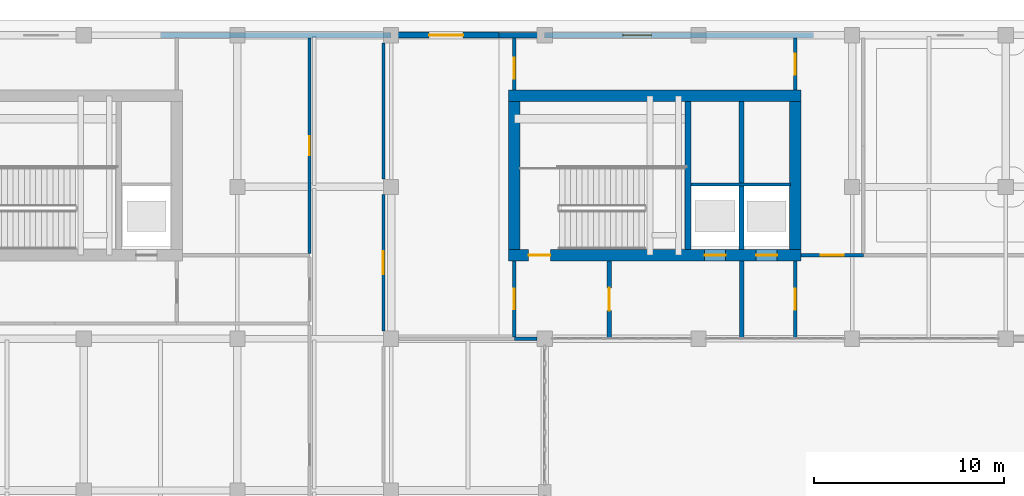
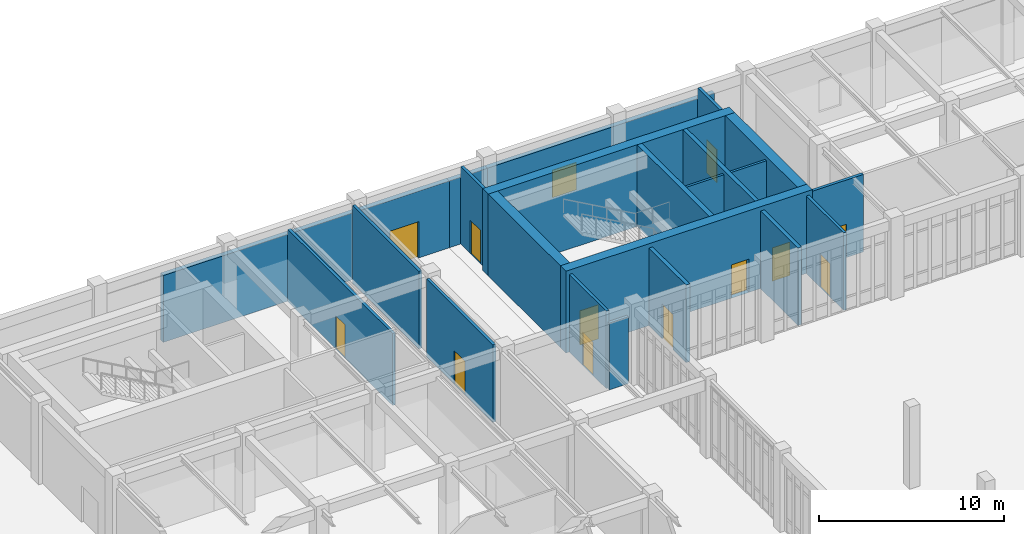
# One storey, part 46 of 62: 22 walls, 12 doors, 1 window, 13 openings.
"""IFC4 building model written with IfcOpenShell, lengths in metres."""

from ifc_helpers import new_model, si_unit, direction, frame, frame_2d, origin, place, context, subcontext, project, spatial, rectangle, extrude, material, layer, layer_set, type_object, element, fill, save


model = new_model("IFC4")

# Units and contexts
model_context = context("Model", 3, precision=1e-05, world=origin(), true_north=direction((0.0, 1.0)))
body_context = subcontext(model_context, "Body", "Model", "MODEL_VIEW")
ifc_project = project(units=[si_unit("LENGTHUNIT", "METRE"), si_unit("AREAUNIT", "SQUARE_METRE"), si_unit("VOLUMEUNIT", "CUBIC_METRE"), si_unit("PLANEANGLEUNIT", "RADIAN"), si_unit("MASSUNIT", "GRAM", prefix="KILO")], contexts=[model_context])

# Site, building, storey
site_placement = place(None, origin())
site = spatial("IfcSite", under=ifc_project, at=site_placement, CompositionType="ELEMENT")
building_placement = place(site_placement, origin())
building = spatial("IfcBuilding", under=site, at=building_placement, Name="Tarnveldt Square Police Headquarters", CompositionType="ELEMENT")
storey_placement = place(building_placement, origin())
storey = spatial("IfcBuildingStorey", under=building, at=storey_placement, Name="L00", CompositionType="ELEMENT", Elevation=0.0)

# Walls
ifc_material_1 = material(Name="Concrete 50 MPa", Category="concrete")
ifc_layer_1 = layer(ifc_material_1, 0.449951171875)
ifc_layer_set_1 = layer_set([ifc_layer_1], Name="Concrete 50 MPa")
wall_type_1 = type_object("IfcWallType", Name="WL-CORE-450", PredefinedType="SHEAR", material=ifc_layer_set_1)
wall_1_placement = place(storey_placement, frame((56.14990234375, 100.699951171875, 0.0), z_axis=(0.0, 0.0, 1.0), x_axis=(0.0, 1.0, 0.0)))
element("IfcWall", 1, at=wall_1_placement, inside=storey, type_object=wall_type_1, Name="Core K3 North-Central Forensic and Firefighting Core L00 Stair-Lift Divider Shear Wall", PredefinedType="SHEAR", context=body_context, shape_type="SweptSolid", body=[
    extrude(rectangle(XDim=7.800048828125, YDim=0.300048828125, at=frame_2d((3.89990234375, 0.0))), origin(), (0.0, 0.0, 1.0), 5.39990234375),
])
wall_2_placement = place(storey_placement, frame((58.97509765625, 100.699951171875, 0.0), z_axis=(0.0, 0.0, 1.0), x_axis=(0.0, 1.0, 0.0)))
element("IfcWall", 2, at=wall_2_placement, inside=storey, type_object=wall_type_1, Name="Core K3 North-Central Forensic and Firefighting Core L00 Dual-Lift Shaft Divider Wall", PredefinedType="SHEAR", context=body_context, shape_type="SweptSolid", body=[
    extrude(rectangle(XDim=7.800048828125, YDim=0.25, at=frame_2d((3.89990234375, 0.0))), origin(), (0.0, 0.0, 1.0), 5.39990234375),
])

# Wall, openings, doors
ifc_layer_2 = layer(ifc_material_1, 0.60009765625)
ifc_layer_set_2 = layer_set([ifc_layer_2], Name="Concrete 50 MPa")
wall_type_2 = type_object("IfcWallType", Name="WL-CORE-600", PredefinedType="SHEAR", material=ifc_layer_set_2)
wall_3_placement = place(storey_placement, frame((46.699951171875, 100.39990234375, 0.0), z_axis=(0.0, 0.0, 1.0), x_axis=(1.0, 0.0, 0.0)))
wall_3 = element("IfcWall", 3, at=wall_3_placement, inside=storey, type_object=wall_type_2, Name="Core K3 North-Central Forensic and Firefighting Core L00 South Shear Wall", PredefinedType="SHEAR", context=body_context, shape_type="SweptSolid", body=[
    extrude(rectangle(XDim=15.400146484375, YDim=0.60009765625, at=frame_2d((7.7001953125, 0.0))), origin(), (0.0, 0.0, 1.0), 5.39990234375),
])
opening_1_placement = place(wall_3_placement, frame((1.050048828125, 0.0, 0.0)))
opening_1 = element("IfcOpeningElement", 4, at=opening_1_placement, cuts=wall_3, Name="Opening D-ST3-L00", PredefinedType="OPENING", context=body_context, shape_type="SweptSolid", body=[
    extrude(rectangle(XDim=1.14990234375, YDim=2.25, at=frame_2d((0.574951171875, 1.125))), frame((0.0, 0.31005859375, 0.0), z_axis=(0.0, -1.0, 0.0), x_axis=(1.0, 0.0, 0.0)), (0.0, 0.0, 1.0), 0.6201171875),
])
opening_2_placement = place(wall_3_placement, frame((10.33251953125, 0.0, 0.0)))
opening_2 = element("IfcOpeningElement", 5, at=opening_2_placement, cuts=wall_3, Name="Opening LD-LF2-L00", PredefinedType="OPENING", context=body_context, shape_type="SweptSolid", body=[
    extrude(rectangle(XDim=1.10009765625, YDim=2.199951171875, at=frame_2d((0.550048828125, 1.10009765625))), frame((0.0, 0.31005859375, 0.0), z_axis=(0.0, -1.0, 0.0), x_axis=(1.0, 0.0, 0.0)), (0.0, 0.0, 1.0), 0.6201171875),
])
opening_3_placement = place(wall_3_placement, frame((13.047607421875, 0.0, 0.0)))
opening_3 = element("IfcOpeningElement", 6, at=opening_3_placement, cuts=wall_3, Name="Opening LD-LP3-L00", PredefinedType="OPENING", context=body_context, shape_type="SweptSolid", body=[
    extrude(rectangle(XDim=1.10009765625, YDim=2.199951171875, at=frame_2d((0.550048828125, 1.10009765625))), frame((0.0, 0.31005859375, 0.0), z_axis=(0.0, -1.0, 0.0), x_axis=(1.0, 0.0, 0.0)), (0.0, 0.0, 1.0), 0.6201171875),
])
ifc_material_2 = material(Name="Insulated hollow metal steel door leaf", Category="steel")
door_type_1 = type_object("IfcDoorType", Name="DR-FD90-1150", OperationType="NOTDEFINED", PredefinedType="DOOR", material=ifc_material_2)
door_1_placement = place(opening_1_placement, frame((1.14990234375, 0.0, 0.0), z_axis=(0.0, 0.0, 1.0), x_axis=(-1.0, 0.0, 0.0)))
door_1 = element("IfcDoor", 7, at=door_1_placement, inside=storey, type_object=door_type_1, Name="Exit Stair ST3 L00 Fire Door", OperationType="SINGLE_SWING_RIGHT", OverallHeight=2.25, OverallWidth=1.14990234375, PredefinedType="DOOR", context=body_context, shape_type="SweptSolid", body=[
    extrude(rectangle(XDim=1.14990234375, YDim=2.25, at=frame_2d((0.574951171875, 1.125))), frame((0.0, 0.02490234375, 0.0), z_axis=(0.0, -1.0, 0.0), x_axis=(1.0, 0.0, 0.0)), (0.0, 0.0, 1.0), 0.050048828125),
])
fill(opening_1, door_1)
ifc_material_3 = material(Name="Steel 350W", Category="steel")
door_type_2 = type_object("IfcDoorType", Name="DR-LD-1100", OperationType="DOUBLE_DOOR_SLIDING", PredefinedType="DOOR", material=ifc_material_3)
door_2_placement = place(opening_2_placement, frame((1.10009765625, 0.0, 0.0), z_axis=(0.0, 0.0, 1.0), x_axis=(-1.0, 0.0, 0.0)))
door_2 = element("IfcDoor", 8, at=door_2_placement, inside=storey, type_object=door_type_2, Name="Elevator LF2 L00 Sliding Landing Door", OperationType="DOUBLE_DOOR_SLIDING", OverallHeight=2.199951171875, OverallWidth=1.10009765625, PredefinedType="DOOR", context=body_context, shape_type="SweptSolid", body=[
    extrude(rectangle(XDim=1.10009765625, YDim=2.199951171875, at=frame_2d((0.550048828125, 1.10009765625))), frame((0.0, 0.02490234375, 0.0), z_axis=(0.0, -1.0, 0.0), x_axis=(1.0, 0.0, 0.0)), (0.0, 0.0, 1.0), 0.050048828125),
])
fill(opening_2, door_2)
door_3_placement = place(opening_3_placement, frame((1.10009765625, 0.0, 0.0), z_axis=(0.0, 0.0, 1.0), x_axis=(-1.0, 0.0, 0.0)))
door_3 = element("IfcDoor", 9, at=door_3_placement, inside=storey, type_object=door_type_2, Name="Elevator LP3 L00 Sliding Landing Door", OperationType="DOUBLE_DOOR_SLIDING", OverallHeight=2.199951171875, OverallWidth=1.10009765625, PredefinedType="DOOR", context=body_context, shape_type="SweptSolid", body=[
    extrude(rectangle(XDim=1.10009765625, YDim=2.199951171875, at=frame_2d((0.550048828125, 1.10009765625))), frame((0.0, 0.02490234375, 0.0), z_axis=(0.0, -1.0, 0.0), x_axis=(1.0, 0.0, 0.0)), (0.0, 0.0, 1.0), 0.050048828125),
])
fill(opening_3, door_3)

# Walls
wall_4_placement = place(storey_placement, frame((46.699951171875, 108.800048828125, 0.0), z_axis=(0.0, 0.0, 1.0), x_axis=(1.0, 0.0, 0.0)))
element("IfcWall", 10, at=wall_4_placement, inside=storey, type_object=wall_type_2, Name="Core K3 North-Central Forensic and Firefighting Core L00 North Shear Wall", PredefinedType="SHEAR", context=body_context, shape_type="SweptSolid", body=[
    extrude(rectangle(XDim=15.400146484375, YDim=0.60009765625, at=frame_2d((7.7001953125, 0.0))), origin(), (0.0, 0.0, 1.0), 5.39990234375),
])
for number, where, z_axis, x_axis, name in (
    (11, (47.0, 100.699951171875, 0.0), (0.0, 0.0, 1.0), (0.0, 1.0, 0.0), "Core K3 North-Central Forensic and Firefighting Core L00 West Shear Wall"),
    (12, (61.800048828125, 100.699951171875, 0.0), (0.0, 0.0, 1.0), (0.0, 1.0, 0.0), "Core K3 North-Central Forensic and Firefighting Core L00 East Shear Wall"),
):
    element("IfcWall", number, at=place(storey_placement, frame(where, z_axis=z_axis, x_axis=x_axis)), inside=storey, type_object=wall_type_2, Name=name, PredefinedType="SHEAR", context=body_context, shape_type="SweptSolid", body=[
        extrude(rectangle(XDim=7.800048828125, YDim=0.60009765625, at=frame_2d((3.89990234375, 0.0))), origin(), (0.0, 0.0, 1.0), 5.39990234375),
    ])

# Wall, opening, door
ifc_material_4 = material(Name="Concrete 40 MPa", Category="concrete")
ifc_layer_3 = layer(ifc_material_4, 0.320068359375)
ifc_layer_set_3 = layer_set([ifc_layer_3], Name="Concrete 40 MPa")
wall_type_3 = type_object("IfcWallType", Name="WL-EXT-BH320", PredefinedType="SOLIDWALL", material=ifc_layer_set_3)
wall_5_placement = place(storey_placement, frame((46.199951171875, 112.0, 0.0), z_axis=(0.0, 0.0, 1.0), x_axis=(-1.0, 0.0, 0.0)))
wall_5 = element("IfcWall", 13, at=wall_5_placement, inside=storey, type_object=wall_type_3, Name="L00 Brutalist Exterior Wall 0037", PredefinedType="SOLIDWALL", context=body_context, shape_type="SweptSolid", body=[
    extrude(rectangle(XDim=5.699951171875, YDim=0.320068359375, at=frame_2d((2.85009765625, 0.0))), origin(), (0.0, 0.0, 1.0), 4.412109375),
])
opening_4_placement = place(wall_5_placement, frame((1.89990234375, 0.0, 0.0)))
opening_4 = element("IfcOpeningElement", 14, at=opening_4_placement, cuts=wall_5, Name="Opening D-E20", PredefinedType="OPENING", context=body_context, shape_type="SweptSolid", body=[
    extrude(rectangle(XDim=1.800048828125, YDim=2.39990234375, at=frame_2d((0.89990234375, 1.199951171875))), frame((0.0, 0.169921875, 0.0), z_axis=(0.0, -1.0, 0.0), x_axis=(1.0, 0.0, 0.0)), (0.0, 0.0, 1.0), 0.340087890625),
])
ifc_material_5 = material(Name="Thermally broken anodised aluminium 6063-T6", Category="aluminium")
door_type_3 = type_object("IfcDoorType", Name="DR-EXIT-1800", OperationType="DOUBLE_DOOR_SINGLE_SWING", PredefinedType="DOOR", material=ifc_material_5)
door_4_placement = place(opening_4_placement, frame((1.800048828125, 0.0, 0.0), z_axis=(0.0, 0.0, 1.0), x_axis=(-1.0, 0.0, 0.0)))
door_4 = element("IfcDoor", 15, at=door_4_placement, inside=storey, type_object=door_type_3, Name="Exit Stair ST3 Grade Final Exit Door D-E20", OperationType="DOUBLE_DOOR_SINGLE_SWING", OverallHeight=2.39990234375, OverallWidth=1.800048828125, PredefinedType="DOOR", context=body_context, shape_type="SweptSolid", body=[
    extrude(rectangle(XDim=1.800048828125, YDim=2.39990234375, at=frame_2d((0.89990234375, 1.199951171875))), frame((0.0, 0.02490234375, 0.0), z_axis=(0.0, -1.0, 0.0), x_axis=(1.0, 0.0, 0.0)), (0.0, 0.0, 1.0), 0.050048828125),
])
fill(opening_4, door_4)

# Wall, opening, window
ifc_material_6 = material(Name="Manganese ironspot clay brick masonry 20 MPa", Category="masonry")
ifc_layer_4 = layer(ifc_material_6, 0.300048828125)
ifc_layer_set_4 = layer_set([ifc_layer_4], Name="Manganese ironspot clay brick masonry 20 MPa")
wall_type_4 = type_object("IfcWallType", Name="WL-EXT-BRK300", PredefinedType="SOLIDWALL", material=ifc_layer_set_4)
wall_6_placement = place(storey_placement, frame((62.77490234375, 112.0, 0.0), z_axis=(0.0, 0.0, 1.0), x_axis=(-1.0, 0.0, 0.0)))
wall_6 = element("IfcWall", 16, at=wall_6_placement, inside=storey, type_object=wall_type_4, Name="L00 Brutalist Exterior Wall 0035", PredefinedType="SOLIDWALL", context=body_context, shape_type="SweptSolid", body=[
    extrude(rectangle(XDim=14.1748046875, YDim=0.300048828125, at=frame_2d((7.08740234375, 0.0))), origin(), (0.0, 0.0, 1.0), 4.412109375),
])
opening_5_placement = place(wall_6_placement, frame((8.550048828125, 0.0, 0.949951171875)))
opening_5 = element("IfcOpeningElement", 17, at=opening_5_placement, cuts=wall_6, Name="Opening W07", PredefinedType="OPENING", context=body_context, shape_type="SweptSolid", body=[
    extrude(rectangle(XDim=1.5, YDim=1.800048828125, at=frame_2d((0.75, 0.89990234375))), frame((0.0, 0.159912109375, 0.0), z_axis=(0.0, -1.0, 0.0), x_axis=(1.0, 0.0, 0.0)), (0.0, 0.0, 1.0), 0.320068359375),
])
ifc_material_7 = material(Name="Triple-glazed low-e laminated vision glass", Category="glass")
window_type = type_object("IfcWindowType", Name="WIN-DR-150x180", PartitioningType="DOUBLE_PANEL_VERTICAL", PredefinedType="WINDOW", material=ifc_material_7)
window_placement = place(opening_5_placement, origin())
window = element("IfcWindow", 18, at=window_placement, inside=storey, type_object=window_type, Name="L00 Deep-Reveal Brutalist Window 0007", OverallHeight=1.800048828125, OverallWidth=1.5, PartitioningType="DOUBLE_PANEL_VERTICAL", PredefinedType="WINDOW", context=body_context, shape_type="SweptSolid", body=[
    extrude(rectangle(XDim=1.5, YDim=1.800048828125, at=frame_2d((0.75, 0.89990234375))), frame((0.0, 0.030029296875, 0.0), z_axis=(0.0, -1.0, 0.0), x_axis=(1.0, 0.0, 0.0)), (0.0, 0.0, 1.0), 0.06005859375),
])
fill(opening_5, window)

# Walls
wall_7_placement = place(storey_placement, frame((48.60009765625, 112.0, 0.0), z_axis=(0.0, 0.0, 1.0), x_axis=(-1.0, 0.0, 0.0)))
element("IfcWall", 19, at=wall_7_placement, inside=storey, type_object=wall_type_4, Name="L00 Brutalist Exterior Wall 0036", PredefinedType="SOLIDWALL", context=body_context, shape_type="SweptSolid", body=[
    extrude(rectangle(XDim=2.400146484375, YDim=0.300048828125, at=frame_2d((1.2001953125, 0.0))), origin(), (0.0, 0.0, 1.0), 4.412109375),
])
wall_8_placement = place(storey_placement, frame((40.5, 112.0, 0.0), z_axis=(0.0, 0.0, 1.0), x_axis=(-1.0, 0.0, 0.0)))
element("IfcWall", 20, at=wall_8_placement, inside=storey, type_object=wall_type_4, Name="L00 Brutalist Exterior Wall 0038", PredefinedType="SOLIDWALL", context=body_context, shape_type="SweptSolid", body=[
    extrude(rectangle(XDim=12.14990234375, YDim=0.300048828125, at=frame_2d((6.074951171875, 0.0))), origin(), (0.0, 0.0, 1.0), 4.412109375),
])
ifc_material_8 = material(Name="Fire-rated Type X gypsum board on steel studs", Category="steel")
ifc_layer_5 = layer(ifc_material_8, 0.179931640625)
ifc_layer_set_5 = layer_set([ifc_layer_5], Name="Fire-rated Type X gypsum board on steel studs")
wall_type_5 = type_object("IfcWallType", Name="WL-FIRE-180", PredefinedType="PARTITIONING", material=ifc_layer_set_5)
wall_9_placement = place(storey_placement, frame((47.0, 96.0, 0.0), z_axis=(0.0, 0.0, 1.0), x_axis=(1.0, 0.0, 0.0)))
element("IfcWall", 21, at=wall_9_placement, inside=storey, type_object=wall_type_5, Name="L00 Interior Partition Wall 0130", PredefinedType="PARTITIONING", context=body_context, shape_type="SweptSolid", body=[
    extrude(rectangle(XDim=1.19189453125, YDim=0.179931640625, at=frame_2d((0.595947265625, 0.0))), origin(), (0.0, 0.0, 1.0), 4.412109375),
])

# Wall, opening, door
wall_10_placement = place(storey_placement, frame((62.10009765625, 100.39990234375, 0.0), z_axis=(0.0, 0.0, 1.0), x_axis=(1.0, 0.0, 0.0)))
wall_10 = element("IfcWall", 22, at=wall_10_placement, inside=storey, type_object=wall_type_5, Name="L00 Interior Partition Wall 0132", PredefinedType="PARTITIONING", context=body_context, shape_type="SweptSolid", body=[
    extrude(rectangle(XDim=3.2998046875, YDim=0.179931640625, at=frame_2d((1.64990234375, 0.0))), origin(), (0.0, 0.0, 1.0), 5.1201171875),
])
opening_6_placement = place(wall_10_placement, frame((1.050048828125, 0.0, 0.0)))
opening_6 = element("IfcOpeningElement", 23, at=opening_6_placement, cuts=wall_10, Name="Opening D16", PredefinedType="OPENING", context=body_context, shape_type="SweptSolid", body=[
    extrude(rectangle(XDim=1.199951171875, YDim=2.199951171875, at=frame_2d((0.60009765625, 1.10009765625))), frame((0.0, 0.099853515625, 0.0), z_axis=(0.0, -1.0, 0.0), x_axis=(1.0, 0.0, 0.0)), (0.0, 0.0, 1.0), 0.199951171875),
])
door_type_4 = type_object("IfcDoorType", Name="DR-FD60-1200", OperationType="NOTDEFINED", PredefinedType="DOOR", material=ifc_material_2)
door_5_placement = place(opening_6_placement, frame((1.199951171875, 0.0, 0.0), z_axis=(0.0, 0.0, 1.0), x_axis=(-1.0, 0.0, 0.0)))
door_5 = element("IfcDoor", 24, at=door_5_placement, inside=storey, type_object=door_type_4, Name="North Forensic Ground Corridor Door", OperationType="SINGLE_SWING_RIGHT", OverallHeight=2.199951171875, OverallWidth=1.199951171875, PredefinedType="DOOR", context=body_context, shape_type="SweptSolid", body=[
    extrude(rectangle(XDim=1.199951171875, YDim=2.199951171875, at=frame_2d((0.60009765625, 1.10009765625))), frame((0.0, 0.02490234375, 0.0), z_axis=(0.0, -1.0, 0.0), x_axis=(1.0, 0.0, 0.0)), (0.0, 0.0, 1.0), 0.050048828125),
])
fill(opening_6, door_5)

wall_11_placement = place(storey_placement, frame((36.199951171875, 100.498046875, 0.0), z_axis=(0.0, 0.0, 1.0), x_axis=(0.0, 1.0, 0.0)))
wall_11 = element("IfcWall", 25, at=wall_11_placement, inside=storey, type_object=wall_type_5, Name="L00 Interior Partition Wall 0164", PredefinedType="PARTITIONING", context=body_context, shape_type="SweptSolid", body=[
    extrude(rectangle(XDim=11.343994140625, YDim=0.179931640625, at=frame_2d((5.671875, 0.0))), origin(), (0.0, 0.0, 1.0), 4.758056640625),
])
opening_7_placement = place(wall_11_placement, frame((5.172119140625, 0.0, 0.0)))
opening_7 = element("IfcOpeningElement", 26, at=opening_7_placement, cuts=wall_11, Name="Opening D05", PredefinedType="OPENING", context=body_context, shape_type="SweptSolid", body=[
    extrude(rectangle(XDim=1.0, YDim=2.199951171875, at=frame_2d((0.5, 1.10009765625))), frame((0.0, 0.099853515625, 0.0), z_axis=(0.0, -1.0, 0.0), x_axis=(1.0, 0.0, 0.0)), (0.0, 0.0, 1.0), 0.199951171875),
])
ifc_material_9 = material(Name="Solid core architectural birch door leaf", Category="wood")
door_type_5 = type_object("IfcDoorType", Name="DR-INT-1000", OperationType="NOTDEFINED", PredefinedType="DOOR", material=ifc_material_9)
door_6_placement = place(opening_7_placement, origin())
door_6 = element("IfcDoor", 27, at=door_6_placement, inside=storey, type_object=door_type_5, Name="Duty Legal Counsel Interview Room Door", OperationType="SINGLE_SWING_LEFT", OverallHeight=2.199951171875, OverallWidth=1.0, PredefinedType="DOOR", context=body_context, shape_type="SweptSolid", body=[
    extrude(rectangle(XDim=1.0, YDim=2.199951171875, at=frame_2d((0.5, 1.10009765625))), frame((0.0, 0.02490234375, 0.0), z_axis=(0.0, -1.0, 0.0), x_axis=(1.0, 0.0, 0.0)), (0.0, 0.0, 1.0), 0.050048828125),
])
fill(opening_7, door_6)

wall_12_placement = place(storey_placement, frame((40.10009765625, 96.407958984375, 0.0), z_axis=(0.0, 0.0, 1.0), x_axis=(0.0, 1.0, 0.0)))
wall_12 = element("IfcWall", 28, at=wall_12_placement, inside=storey, type_object=wall_type_5, Name="L00 Interior Partition Wall 0171", PredefinedType="PARTITIONING", context=body_context, shape_type="SweptSolid", body=[
    extrude(rectangle(XDim=7.18408203125, YDim=0.179931640625, at=frame_2d((3.592041015625, 0.0))), origin(), (0.0, 0.0, 1.0), 5.1201171875),
])
opening_8_placement = place(wall_12_placement, frame((2.991943359375, 0.0, 0.0)))
opening_8 = element("IfcOpeningElement", 29, at=opening_8_placement, cuts=wall_12, Name="Opening D16", PredefinedType="OPENING", context=body_context, shape_type="SweptSolid", body=[
    extrude(rectangle(XDim=1.199951171875, YDim=2.199951171875, at=frame_2d((0.60009765625, 1.10009765625))), frame((0.0, 0.099853515625, 0.0), z_axis=(0.0, -1.0, 0.0), x_axis=(1.0, 0.0, 0.0)), (0.0, 0.0, 1.0), 0.199951171875),
])
door_7_placement = place(opening_8_placement, frame((1.199951171875, 0.0, 0.0), z_axis=(0.0, 0.0, 1.0), x_axis=(-1.0, 0.0, 0.0)))
door_7 = element("IfcDoor", 30, at=door_7_placement, inside=storey, type_object=door_type_4, Name="North-West Protected Exit Passageway L00 Door", OperationType="SINGLE_SWING_LEFT", OverallHeight=2.199951171875, OverallWidth=1.199951171875, PredefinedType="DOOR", context=body_context, shape_type="SweptSolid", body=[
    extrude(rectangle(XDim=1.199951171875, YDim=2.199951171875, at=frame_2d((0.60009765625, 1.10009765625))), frame((0.0, 0.02490234375, 0.0), z_axis=(0.0, -1.0, 0.0), x_axis=(1.0, 0.0, 0.0)), (0.0, 0.0, 1.0), 0.050048828125),
])
fill(opening_8, door_7)

# Wall
wall_13_placement = place(storey_placement, frame((40.10009765625, 104.407958984375, 0.0), z_axis=(0.0, 0.0, 1.0), x_axis=(0.0, 1.0, 0.0)))
element("IfcWall", 31, at=wall_13_placement, inside=storey, type_object=wall_type_5, Name="L00 Interior Partition Wall 0172", PredefinedType="PARTITIONING", context=body_context, shape_type="SweptSolid", body=[
    extrude(rectangle(XDim=7.18408203125, YDim=0.179931640625, at=frame_2d((3.592041015625, 0.0))), origin(), (0.0, 0.0, 1.0), 5.1201171875),
])

# Wall, opening, door
wall_14_placement = place(storey_placement, frame((47.0, 96.097900390625, 0.0), z_axis=(0.0, 0.0, 1.0), x_axis=(0.0, 1.0, 0.0)))
wall_14 = element("IfcWall", 32, at=wall_14_placement, inside=storey, type_object=wall_type_5, Name="L00 Interior Partition Wall 0173", PredefinedType="PARTITIONING", context=body_context, shape_type="SweptSolid", body=[
    extrude(rectangle(XDim=3.994140625, YDim=0.179931640625, at=frame_2d((1.9970703125, 0.0))), origin(), (0.0, 0.0, 1.0), 5.1201171875),
])
opening_9_placement = place(wall_14_placement, frame((1.447021484375, 0.0, 0.0)))
opening_9 = element("IfcOpeningElement", 33, at=opening_9_placement, cuts=wall_14, Name="Opening D15", PredefinedType="OPENING", context=body_context, shape_type="SweptSolid", body=[
    extrude(rectangle(XDim=1.10009765625, YDim=2.199951171875, at=frame_2d((0.550048828125, 1.10009765625))), frame((0.0, 0.099853515625, 0.0), z_axis=(0.0, -1.0, 0.0), x_axis=(1.0, 0.0, 0.0)), (0.0, 0.0, 1.0), 0.199951171875),
])
door_type_6 = type_object("IfcDoorType", Name="DR-FD60-1100", OperationType="NOTDEFINED", PredefinedType="DOOR", material=ifc_material_2)
door_8_placement = place(opening_9_placement, origin())
door_8 = element("IfcDoor", 34, at=door_8_placement, inside=storey, type_object=door_type_6, Name="Core Stair Lobby K3-L00 Door", OperationType="SINGLE_SWING_RIGHT", OverallHeight=2.199951171875, OverallWidth=1.10009765625, PredefinedType="DOOR", context=body_context, shape_type="SweptSolid", body=[
    extrude(rectangle(XDim=1.10009765625, YDim=2.199951171875, at=frame_2d((0.550048828125, 1.10009765625))), frame((0.0, 0.02490234375, 0.0), z_axis=(0.0, -1.0, 0.0), x_axis=(1.0, 0.0, 0.0)), (0.0, 0.0, 1.0), 0.050048828125),
])
fill(opening_9, door_8)

wall_15_placement = place(storey_placement, frame((47.0, 109.10791015625, 0.0), z_axis=(0.0, 0.0, 1.0), x_axis=(0.0, 1.0, 0.0)))
wall_15 = element("IfcWall", 35, at=wall_15_placement, inside=storey, type_object=wall_type_5, Name="L00 Interior Partition Wall 0174", PredefinedType="PARTITIONING", context=body_context, shape_type="SweptSolid", body=[
    extrude(rectangle(XDim=2.734130859375, YDim=0.179931640625, at=frame_2d((1.3671875, 0.0))), origin(), (0.0, 0.0, 1.0), 5.1201171875),
])
opening_10_placement = place(wall_15_placement, frame((0.598388671875, 0.0, 0.0)))
opening_10 = element("IfcOpeningElement", 36, at=opening_10_placement, cuts=wall_15, Name="Opening D15", PredefinedType="OPENING", context=body_context, shape_type="SweptSolid", body=[
    extrude(rectangle(XDim=1.10009765625, YDim=2.199951171875, at=frame_2d((0.550048828125, 1.10009765625))), frame((0.0, 0.099853515625, 0.0), z_axis=(0.0, -1.0, 0.0), x_axis=(1.0, 0.0, 0.0)), (0.0, 0.0, 1.0), 0.199951171875),
])
door_9_placement = place(opening_10_placement, frame((1.10009765625, 0.0, 0.0), z_axis=(0.0, 0.0, 1.0), x_axis=(-1.0, 0.0, 0.0)))
door_9 = element("IfcDoor", 37, at=door_9_placement, inside=storey, type_object=door_type_6, Name="Core K3 North Corridor L00 Door", OperationType="SINGLE_SWING_LEFT", OverallHeight=2.199951171875, OverallWidth=1.10009765625, PredefinedType="DOOR", context=body_context, shape_type="SweptSolid", body=[
    extrude(rectangle(XDim=1.10009765625, YDim=2.199951171875, at=frame_2d((0.550048828125, 1.10009765625))), frame((0.0, 0.02490234375, 0.0), z_axis=(0.0, -1.0, 0.0), x_axis=(1.0, 0.0, 0.0)), (0.0, 0.0, 1.0), 0.050048828125),
])
fill(opening_10, door_9)

wall_16_placement = place(storey_placement, frame((61.800048828125, 96.06494140625, 0.0), z_axis=(0.0, 0.0, 1.0), x_axis=(0.0, 1.0, 0.0)))
wall_16 = element("IfcWall", 38, at=wall_16_placement, inside=storey, type_object=wall_type_5, Name="L00 Interior Partition Wall 0181", PredefinedType="PARTITIONING", context=body_context, shape_type="SweptSolid", body=[
    extrude(rectangle(XDim=4.027099609375, YDim=0.179931640625, at=frame_2d((2.013671875, 0.0))), origin(), (0.0, 0.0, 1.0), 5.1201171875),
])
opening_11_placement = place(wall_16_placement, frame((1.46337890625, 0.0, 0.0)))
opening_11 = element("IfcOpeningElement", 39, at=opening_11_placement, cuts=wall_16, Name="Opening D15", PredefinedType="OPENING", context=body_context, shape_type="SweptSolid", body=[
    extrude(rectangle(XDim=1.10009765625, YDim=2.199951171875, at=frame_2d((0.550048828125, 1.10009765625))), frame((0.0, 0.099853515625, 0.0), z_axis=(0.0, -1.0, 0.0), x_axis=(1.0, 0.0, 0.0)), (0.0, 0.0, 1.0), 0.199951171875),
])
door_10_placement = place(opening_11_placement, frame((1.10009765625, 0.0, 0.0), z_axis=(0.0, 0.0, 1.0), x_axis=(-1.0, 0.0, 0.0)))
door_10 = element("IfcDoor", 40, at=door_10_placement, inside=storey, type_object=door_type_6, Name="Passenger Lift Lobby K3-L00 Door", OperationType="SINGLE_SWING_LEFT", OverallHeight=2.199951171875, OverallWidth=1.10009765625, PredefinedType="DOOR", context=body_context, shape_type="SweptSolid", body=[
    extrude(rectangle(XDim=1.10009765625, YDim=2.199951171875, at=frame_2d((0.550048828125, 1.10009765625))), frame((0.0, 0.02490234375, 0.0), z_axis=(0.0, -1.0, 0.0), x_axis=(1.0, 0.0, 0.0)), (0.0, 0.0, 1.0), 0.050048828125),
])
fill(opening_11, door_10)

wall_17_placement = place(storey_placement, frame((61.800048828125, 109.10791015625, 0.0), z_axis=(0.0, 0.0, 1.0), x_axis=(0.0, 1.0, 0.0)))
wall_17 = element("IfcWall", 41, at=wall_17_placement, inside=storey, type_object=wall_type_5, Name="L00 Interior Partition Wall 0182", PredefinedType="PARTITIONING", context=body_context, shape_type="SweptSolid", body=[
    extrude(rectangle(XDim=2.734130859375, YDim=0.179931640625, at=frame_2d((1.3671875, 0.0))), origin(), (0.0, 0.0, 1.0), 5.1201171875),
])
opening_12_placement = place(wall_17_placement, frame((0.81689453125, 0.0, 0.0)))
opening_12 = element("IfcOpeningElement", 42, at=opening_12_placement, cuts=wall_17, Name="Opening D15", PredefinedType="OPENING", context=body_context, shape_type="SweptSolid", body=[
    extrude(rectangle(XDim=1.10009765625, YDim=2.199951171875, at=frame_2d((0.550048828125, 1.10009765625))), frame((0.0, 0.099853515625, 0.0), z_axis=(0.0, -1.0, 0.0), x_axis=(1.0, 0.0, 0.0)), (0.0, 0.0, 1.0), 0.199951171875),
])
door_11_placement = place(opening_12_placement, origin())
door_11 = element("IfcDoor", 43, at=door_11_placement, inside=storey, type_object=door_type_6, Name="Core K3 North Corridor L00 Secondary Door", OperationType="SINGLE_SWING_RIGHT", OverallHeight=2.199951171875, OverallWidth=1.10009765625, PredefinedType="DOOR", context=body_context, shape_type="SweptSolid", body=[
    extrude(rectangle(XDim=1.10009765625, YDim=2.199951171875, at=frame_2d((0.550048828125, 1.10009765625))), frame((0.0, 0.02490234375, 0.0), z_axis=(0.0, -1.0, 0.0), x_axis=(1.0, 0.0, 0.0)), (0.0, 0.0, 1.0), 0.050048828125),
])
fill(opening_12, door_11)

ifc_material_10 = material(Name="Concrete block masonry 15 MPa", Category="masonry")
ifc_layer_6 = layer(ifc_material_10, 0.239990234375)
ifc_layer_set_6 = layer_set([ifc_layer_6], Name="Concrete block masonry 15 MPa")
wall_type_6 = type_object("IfcWallType", Name="WL-FIRE-240", PredefinedType="PARTITIONING", material=ifc_layer_set_6)
wall_18_placement = place(storey_placement, frame((52.0, 96.06494140625, 0.0), z_axis=(0.0, 0.0, 1.0), x_axis=(0.0, 1.0, 0.0)))
wall_18 = element("IfcWall", 44, at=wall_18_placement, inside=storey, type_object=wall_type_6, Name="L00 Interior Partition Wall 0175", PredefinedType="PARTITIONING", context=body_context, shape_type="SweptSolid", body=[
    extrude(rectangle(XDim=4.027099609375, YDim=0.239990234375, at=frame_2d((2.013671875, 0.0))), origin(), (0.0, 0.0, 1.0), 5.1201171875),
])
opening_13_placement = place(wall_18_placement, frame((1.41357421875, 0.0, 0.0)))
opening_13 = element("IfcOpeningElement", 45, at=opening_13_placement, cuts=wall_18, Name="Opening D20", PredefinedType="OPENING", context=body_context, shape_type="SweptSolid", body=[
    extrude(rectangle(XDim=1.199951171875, YDim=2.300048828125, at=frame_2d((0.60009765625, 1.14990234375))), frame((0.0, 0.1298828125, 0.0), z_axis=(0.0, -1.0, 0.0), x_axis=(1.0, 0.0, 0.0)), (0.0, 0.0, 1.0), 0.260009765625),
])
door_type_7 = type_object("IfcDoorType", Name="DR-FD90-1200", OperationType="NOTDEFINED", PredefinedType="DOOR", material=ifc_material_2)
door_12_placement = place(opening_13_placement, origin())
door_12 = element("IfcDoor", 46, at=door_12_placement, inside=storey, type_object=door_type_7, Name="Firefighting Lift Lobby K3-L00 Door", OperationType="SINGLE_SWING_RIGHT", OverallHeight=2.300048828125, OverallWidth=1.199951171875, PredefinedType="DOOR", context=body_context, shape_type="SweptSolid", body=[
    extrude(rectangle(XDim=1.199951171875, YDim=2.300048828125, at=frame_2d((0.60009765625, 1.14990234375))), frame((0.0, 0.02490234375, 0.0), z_axis=(0.0, -1.0, 0.0), x_axis=(1.0, 0.0, 0.0)), (0.0, 0.0, 1.0), 0.050048828125),
])
fill(opening_13, door_12)

# Walls
wall_19_placement = place(storey_placement, frame((58.97509765625, 96.06494140625, 0.0), z_axis=(0.0, 0.0, 1.0), x_axis=(0.0, 1.0, 0.0)))
element("IfcWall", 47, at=wall_19_placement, inside=storey, type_object=wall_type_6, Name="L00 Interior Partition Wall 0180", PredefinedType="PARTITIONING", context=body_context, shape_type="SweptSolid", body=[
    extrude(rectangle(XDim=4.027099609375, YDim=0.239990234375, at=frame_2d((2.013671875, 0.0))), origin(), (0.0, 0.0, 1.0), 5.1201171875),
])
ifc_layer_7 = layer(ifc_material_8, 0.14990234375)
ifc_layer_set_7 = layer_set([ifc_layer_7], Name="Fire-rated Type X gypsum board on steel studs")
wall_type_7 = type_object("IfcWallType", Name="WL-SHAFT-150", PredefinedType="PARTITIONING", material=ifc_layer_set_7)
wall_20_placement = place(storey_placement, frame((56.300048828125, 104.1201171875, 0.0), z_axis=(0.0, 0.0, 1.0), x_axis=(1.0, 0.0, 0.0)))
element("IfcWall", 48, at=wall_20_placement, inside=storey, type_object=wall_type_7, Name="K3 L00 Elevator Shaft Back Wall", PredefinedType="PARTITIONING", context=body_context, shape_type="SweptSolid", body=[
    extrude(rectangle(XDim=5.25, YDim=0.14990234375, at=frame_2d((2.625, 0.0))), origin(), (0.0, 0.0, 1.0), 5.1201171875),
])

save(model, "model.ifc")
